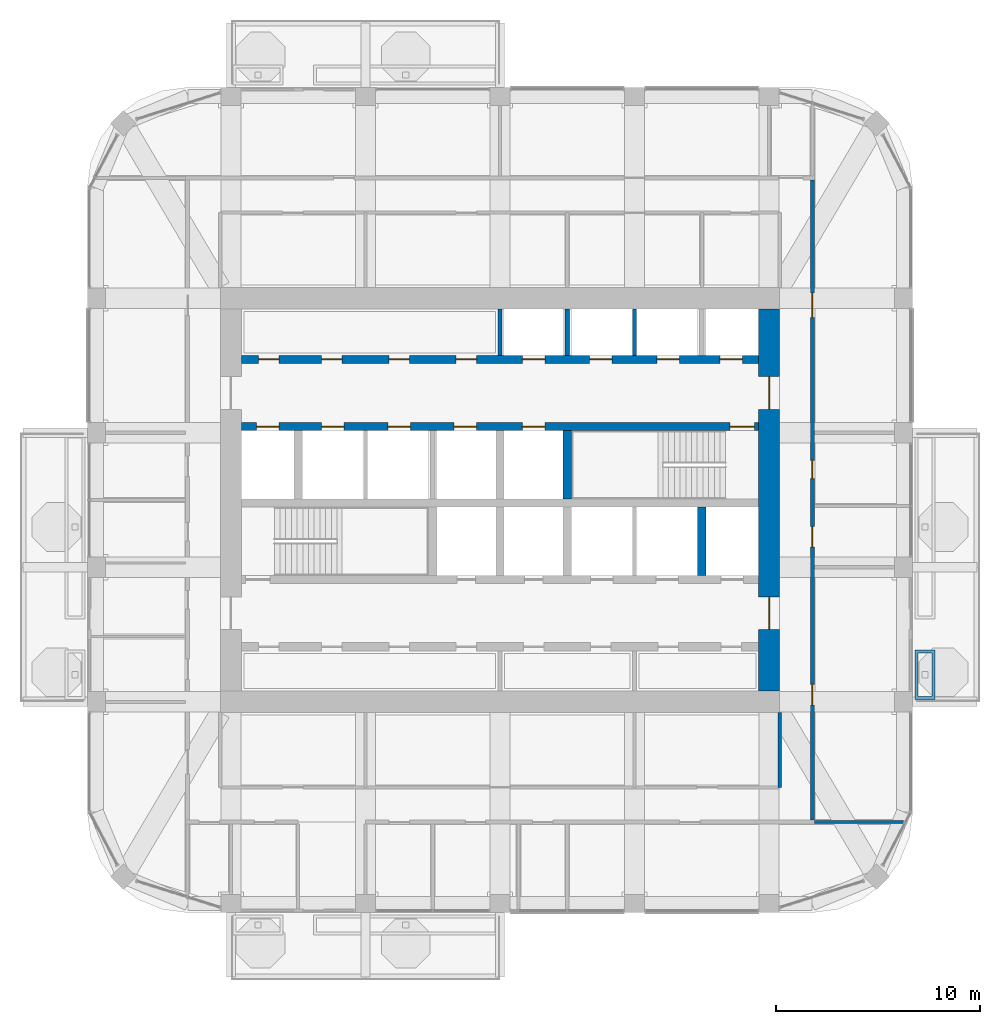
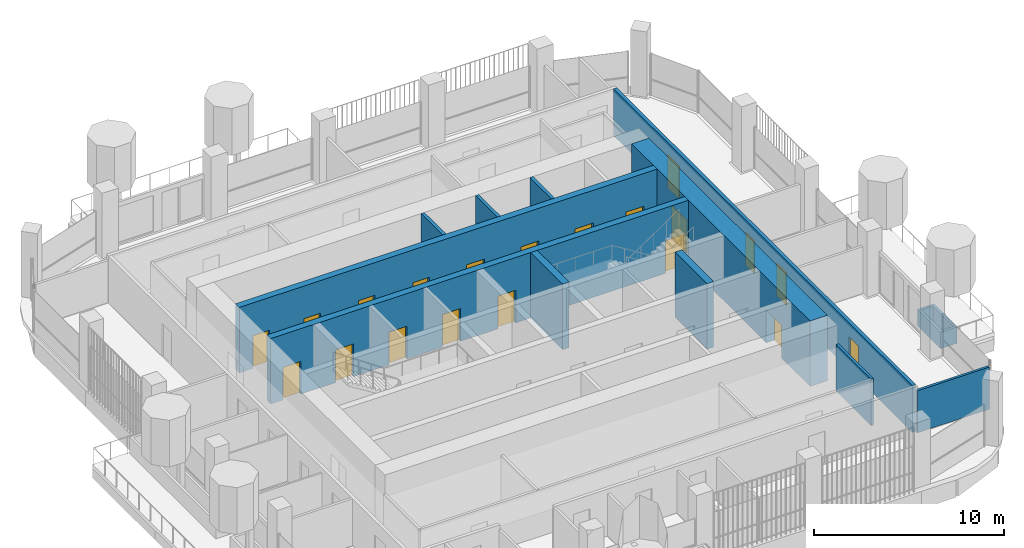
# One storey, part 14 of 19: 20 doors, 12 walls, 20 openings.
"""IFC4 building model written with IfcOpenShell, lengths in metres."""

from ifc_helpers import new_model, si_unit, direction, frame, frame_2d, origin, place, context, subcontext, project, spatial, polyline, rectangle, outline, extrude, material, layer, layer_set, type_object, element, fill, save


model = new_model("IFC4")

# Units and contexts
model_context = context("Model", 3, precision=1e-05, world=origin(), true_north=direction((0.0, 1.0)))
body_context = subcontext(model_context, "Body", "Model", "MODEL_VIEW")
ifc_project = project(units=[si_unit("LENGTHUNIT", "METRE"), si_unit("AREAUNIT", "SQUARE_METRE"), si_unit("VOLUMEUNIT", "CUBIC_METRE"), si_unit("PLANEANGLEUNIT", "RADIAN"), si_unit("MASSUNIT", "GRAM", prefix="KILO")], contexts=[model_context])

# Site, building, storey
site_placement = place(None, origin())
site = spatial("IfcSite", under=ifc_project, at=site_placement, CompositionType="ELEMENT")
building_placement = place(site_placement, origin())
building = spatial("IfcBuilding", under=site, at=building_placement, Name="Cobogo Forest Laboratory Tower", CompositionType="ELEMENT")
storey_placement = place(building_placement, frame((0.0, 0.0, 262.800048828125)))
storey = spatial("IfcBuildingStorey", under=building, at=storey_placement, Name="L60", CompositionType="ELEMENT", Elevation=262.800048828125)

# Wall, openings, doors
ifc_material_1 = material(Name="Concrete HA-50 (C50/60)", Category="concrete")
ifc_layer_1 = layer(ifc_material_1, 0.39990234375)
ifc_layer_set_1 = layer_set([ifc_layer_1], Name="CI400 core inner wall 400")
wall_type_1 = type_object("IfcWallType", Name="CI400 core inner wall 400", PredefinedType="SHEAR", material=ifc_layer_set_1)
wall_1_placement = place(storey_placement, frame((13.72509765625, 26.699951171875, 0.0), z_axis=(0.0, 0.0, 1.0), x_axis=(1.0, 0.0, 0.0)))
wall_1 = element("IfcWall", 1, at=wall_1_placement, inside=storey, type_object=wall_type_1, Name="Core wall CI-26.7 L60", PredefinedType="SHEAR", context=body_context, shape_type="SweptSolid", body=[
    extrude(rectangle(XDim=25.349853515625, YDim=0.39990234375, at=frame_2d((12.6748046875, 0.0))), origin(), (0.0, 0.0, 1.0), 4.199951171875),
])
opening_1_placement = place(wall_1_placement, frame((23.949951171875, 0.0, 0.0)))
opening_1 = element("IfcOpeningElement", 2, at=opening_1_placement, cuts=wall_1, Name="Opening L60-D34", PredefinedType="OPENING", context=body_context, shape_type="SweptSolid", body=[
    extrude(rectangle(XDim=1.199951171875, YDim=2.10009765625, at=frame_2d((0.60009765625, 1.050048828125))), frame((0.0, 0.2099609375, 0.0), z_axis=(0.0, -1.0, 0.0), x_axis=(1.0, 0.0, 0.0)), (0.0, 0.0, 1.0), 0.419921875),
])
opening_2_placement = place(wall_1_placement, frame((0.737548828125, 0.0, 0.0)))
opening_2 = element("IfcOpeningElement", 3, at=opening_2_placement, cuts=wall_1, Name="Opening L60-LD-FL1", PredefinedType="OPENING", context=body_context, shape_type="SweptSolid", body=[
    extrude(rectangle(XDim=1.10009765625, YDim=2.10009765625, at=frame_2d((0.550048828125, 1.050048828125))), frame((0.0, 0.2099609375, 0.0), z_axis=(0.0, -1.0, 0.0), x_axis=(1.0, 0.0, 0.0)), (0.0, 0.0, 1.0), 0.419921875),
])
opening_3_placement = place(wall_1_placement, frame((3.925048828125, 0.0, 0.0)))
opening_3 = element("IfcOpeningElement", 4, at=opening_3_placement, cuts=wall_1, Name="Opening L60-LD-LS3", PredefinedType="OPENING", context=body_context, shape_type="SweptSolid", body=[
    extrude(rectangle(XDim=1.10009765625, YDim=2.10009765625, at=frame_2d((0.550048828125, 1.050048828125))), frame((0.0, 0.2099609375, 0.0), z_axis=(0.0, -1.0, 0.0), x_axis=(1.0, 0.0, 0.0)), (0.0, 0.0, 1.0), 0.419921875),
])
opening_4_placement = place(wall_1_placement, frame((7.175048828125, 0.0, 0.0)))
opening_4 = element("IfcOpeningElement", 5, at=opening_4_placement, cuts=wall_1, Name="Opening L60-LD-LS4", PredefinedType="OPENING", context=body_context, shape_type="SweptSolid", body=[
    extrude(rectangle(XDim=1.10009765625, YDim=2.10009765625, at=frame_2d((0.550048828125, 1.050048828125))), frame((0.0, 0.2099609375, 0.0), z_axis=(0.0, -1.0, 0.0), x_axis=(1.0, 0.0, 0.0)), (0.0, 0.0, 1.0), 0.419921875),
])
opening_5_placement = place(wall_1_placement, frame((10.425048828125, 0.0, 0.0)))
opening_5 = element("IfcOpeningElement", 6, at=opening_5_placement, cuts=wall_1, Name="Opening L60-LD-LS5", PredefinedType="OPENING", context=body_context, shape_type="SweptSolid", body=[
    extrude(rectangle(XDim=1.10009765625, YDim=2.10009765625, at=frame_2d((0.550048828125, 1.050048828125))), frame((0.0, 0.2099609375, 0.0), z_axis=(0.0, -1.0, 0.0), x_axis=(1.0, 0.0, 0.0)), (0.0, 0.0, 1.0), 0.419921875),
])
opening_6_placement = place(wall_1_placement, frame((13.77490234375, 0.0, 0.0)))
opening_6 = element("IfcOpeningElement", 7, at=opening_6_placement, cuts=wall_1, Name="Opening L60-LD-LS6", PredefinedType="OPENING", context=body_context, shape_type="SweptSolid", body=[
    extrude(rectangle(XDim=1.10009765625, YDim=2.10009765625, at=frame_2d((0.550048828125, 1.050048828125))), frame((0.0, 0.2099609375, 0.0), z_axis=(0.0, -1.0, 0.0), x_axis=(1.0, 0.0, 0.0)), (0.0, 0.0, 1.0), 0.419921875),
])
ifc_material_2 = material(Name="Steel fire door", Category="steel")
door_type_1 = type_object("IfcDoorType", Name="DS1 protected stair door 1200 EI2 60", OperationType="SINGLE_SWING_LEFT", PredefinedType="DOOR", material=ifc_material_2)
door_1_placement = place(opening_1_placement, origin())
door_1 = element("IfcDoor", 8, at=door_1_placement, inside=storey, type_object=door_type_1, Name="Door L60-ST2", OperationType="SINGLE_SWING_RIGHT", OverallHeight=2.10009765625, OverallWidth=1.199951171875, PredefinedType="DOOR", context=body_context, shape_type="SweptSolid", body=[
    extrude(rectangle(XDim=1.199951171875, YDim=2.10009765625, at=frame_2d((0.60009765625, 1.050048828125))), frame((0.0, 0.02490234375, 0.0), z_axis=(0.0, -1.0, 0.0), x_axis=(1.0, 0.0, 0.0)), (0.0, 0.0, 1.0), 0.050048828125),
])
fill(opening_1, door_1)
ifc_material_3 = material(Name="Stainless steel lift door", Category="steel")
door_type_2 = type_object("IfcDoorType", Name="LD lift landing door 1100", OperationType="DOUBLE_DOOR_SLIDING", PredefinedType="DOOR", material=ifc_material_3)
door_2_placement = place(opening_2_placement, origin())
door_2 = element("IfcDoor", 9, at=door_2_placement, inside=storey, type_object=door_type_2, Name="Lift landing door FL1 L60", OperationType="DOUBLE_DOOR_SLIDING", OverallHeight=2.10009765625, OverallWidth=1.10009765625, PredefinedType="DOOR", context=body_context, shape_type="SweptSolid", body=[
    extrude(rectangle(XDim=1.10009765625, YDim=2.10009765625, at=frame_2d((0.550048828125, 1.050048828125))), frame((0.0, 0.02490234375, 0.0), z_axis=(0.0, -1.0, 0.0), x_axis=(1.0, 0.0, 0.0)), (0.0, 0.0, 1.0), 0.050048828125),
])
fill(opening_2, door_2)
door_3_placement = place(opening_3_placement, origin())
door_3 = element("IfcDoor", 10, at=door_3_placement, inside=storey, type_object=door_type_2, Name="Lift landing door LS3 L60", OperationType="DOUBLE_DOOR_SLIDING", OverallHeight=2.10009765625, OverallWidth=1.10009765625, PredefinedType="DOOR", context=body_context, shape_type="SweptSolid", body=[
    extrude(rectangle(XDim=1.10009765625, YDim=2.10009765625, at=frame_2d((0.550048828125, 1.050048828125))), frame((0.0, 0.02490234375, 0.0), z_axis=(0.0, -1.0, 0.0), x_axis=(1.0, 0.0, 0.0)), (0.0, 0.0, 1.0), 0.050048828125),
])
fill(opening_3, door_3)
door_4_placement = place(opening_4_placement, origin())
door_4 = element("IfcDoor", 11, at=door_4_placement, inside=storey, type_object=door_type_2, Name="Lift landing door LS4 L60", OperationType="DOUBLE_DOOR_SLIDING", OverallHeight=2.10009765625, OverallWidth=1.10009765625, PredefinedType="DOOR", context=body_context, shape_type="SweptSolid", body=[
    extrude(rectangle(XDim=1.10009765625, YDim=2.10009765625, at=frame_2d((0.550048828125, 1.050048828125))), frame((0.0, 0.02490234375, 0.0), z_axis=(0.0, -1.0, 0.0), x_axis=(1.0, 0.0, 0.0)), (0.0, 0.0, 1.0), 0.050048828125),
])
fill(opening_4, door_4)
door_5_placement = place(opening_5_placement, origin())
door_5 = element("IfcDoor", 12, at=door_5_placement, inside=storey, type_object=door_type_2, Name="Lift landing door LS5 L60", OperationType="DOUBLE_DOOR_SLIDING", OverallHeight=2.10009765625, OverallWidth=1.10009765625, PredefinedType="DOOR", context=body_context, shape_type="SweptSolid", body=[
    extrude(rectangle(XDim=1.10009765625, YDim=2.10009765625, at=frame_2d((0.550048828125, 1.050048828125))), frame((0.0, 0.02490234375, 0.0), z_axis=(0.0, -1.0, 0.0), x_axis=(1.0, 0.0, 0.0)), (0.0, 0.0, 1.0), 0.050048828125),
])
fill(opening_5, door_5)
door_6_placement = place(opening_6_placement, origin())
door_6 = element("IfcDoor", 13, at=door_6_placement, inside=storey, type_object=door_type_2, Name="Lift landing door LS6 L60", OperationType="DOUBLE_DOOR_SLIDING", OverallHeight=2.10009765625, OverallWidth=1.10009765625, PredefinedType="DOOR", context=body_context, shape_type="SweptSolid", body=[
    extrude(rectangle(XDim=1.10009765625, YDim=2.10009765625, at=frame_2d((0.550048828125, 1.050048828125))), frame((0.0, 0.02490234375, 0.0), z_axis=(0.0, -1.0, 0.0), x_axis=(1.0, 0.0, 0.0)), (0.0, 0.0, 1.0), 0.050048828125),
])
fill(opening_6, door_6)

wall_2_placement = place(storey_placement, frame((13.72509765625, 30.0, 0.0), z_axis=(0.0, 0.0, 1.0), x_axis=(1.0, 0.0, 0.0)))
wall_2 = element("IfcWall", 14, at=wall_2_placement, inside=storey, type_object=wall_type_1, Name="Core wall CI-30.0 L60", PredefinedType="SHEAR", context=body_context, shape_type="SweptSolid", body=[
    extrude(rectangle(XDim=25.349853515625, YDim=0.39990234375, at=frame_2d((12.6748046875, 0.0))), origin(), (0.0, 0.0, 1.0), 4.199951171875),
])
opening_7_placement = place(wall_2_placement, frame((0.83740234375, 0.0, 0.0)))
opening_7 = element("IfcOpeningElement", 15, at=opening_7_placement, cuts=wall_2, Name="Opening L60-D37", PredefinedType="OPENING", context=body_context, shape_type="SweptSolid", body=[
    extrude(rectangle(XDim=1.0, YDim=2.10009765625, at=frame_2d((0.5, 1.050048828125))), frame((0.0, 0.2099609375, 0.0), z_axis=(0.0, -1.0, 0.0), x_axis=(1.0, 0.0, 0.0)), (0.0, 0.0, 1.0), 0.419921875),
])
opening_8_placement = place(wall_2_placement, frame((3.925048828125, 0.0, 0.0)))
opening_8 = element("IfcOpeningElement", 16, at=opening_8_placement, cuts=wall_2, Name="Opening L60-D38", PredefinedType="OPENING", context=body_context, shape_type="SweptSolid", body=[
    extrude(rectangle(XDim=1.0, YDim=2.10009765625, at=frame_2d((0.5, 1.050048828125))), frame((0.0, 0.2099609375, 0.0), z_axis=(0.0, -1.0, 0.0), x_axis=(1.0, 0.0, 0.0)), (0.0, 0.0, 1.0), 0.419921875),
])
opening_9_placement = place(wall_2_placement, frame((7.22509765625, 0.0, 0.0)))
opening_9 = element("IfcOpeningElement", 17, at=opening_9_placement, cuts=wall_2, Name="Opening L60-D39", PredefinedType="OPENING", context=body_context, shape_type="SweptSolid", body=[
    extrude(rectangle(XDim=1.0, YDim=2.10009765625, at=frame_2d((0.5, 1.050048828125))), frame((0.0, 0.2099609375, 0.0), z_axis=(0.0, -1.0, 0.0), x_axis=(1.0, 0.0, 0.0)), (0.0, 0.0, 1.0), 0.419921875),
])
opening_10_placement = place(wall_2_placement, frame((10.52490234375, 0.0, 0.0)))
opening_10 = element("IfcOpeningElement", 18, at=opening_10_placement, cuts=wall_2, Name="Opening L60-D40", PredefinedType="OPENING", context=body_context, shape_type="SweptSolid", body=[
    extrude(rectangle(XDim=1.0, YDim=2.10009765625, at=frame_2d((0.5, 1.050048828125))), frame((0.0, 0.2099609375, 0.0), z_axis=(0.0, -1.0, 0.0), x_axis=(1.0, 0.0, 0.0)), (0.0, 0.0, 1.0), 0.419921875),
])
opening_11_placement = place(wall_2_placement, frame((13.77490234375, 0.0, 0.0)))
opening_11 = element("IfcOpeningElement", 19, at=opening_11_placement, cuts=wall_2, Name="Opening L60-LD-LD1", PredefinedType="OPENING", context=body_context, shape_type="SweptSolid", body=[
    extrude(rectangle(XDim=1.10009765625, YDim=2.10009765625, at=frame_2d((0.550048828125, 1.050048828125))), frame((0.0, 0.2099609375, 0.0), z_axis=(0.0, -1.0, 0.0), x_axis=(1.0, 0.0, 0.0)), (0.0, 0.0, 1.0), 0.419921875),
])
opening_12_placement = place(wall_2_placement, frame((17.074951171875, 0.0, 0.0)))
opening_12 = element("IfcOpeningElement", 20, at=opening_12_placement, cuts=wall_2, Name="Opening L60-LD-LD2", PredefinedType="OPENING", context=body_context, shape_type="SweptSolid", body=[
    extrude(rectangle(XDim=1.10009765625, YDim=2.10009765625, at=frame_2d((0.550048828125, 1.050048828125))), frame((0.0, 0.2099609375, 0.0), z_axis=(0.0, -1.0, 0.0), x_axis=(1.0, 0.0, 0.0)), (0.0, 0.0, 1.0), 0.419921875),
])
opening_13_placement = place(wall_2_placement, frame((20.375, 0.0, 0.0)))
opening_13 = element("IfcOpeningElement", 21, at=opening_13_placement, cuts=wall_2, Name="Opening L60-LD-LD3", PredefinedType="OPENING", context=body_context, shape_type="SweptSolid", body=[
    extrude(rectangle(XDim=1.10009765625, YDim=2.10009765625, at=frame_2d((0.550048828125, 1.050048828125))), frame((0.0, 0.2099609375, 0.0), z_axis=(0.0, -1.0, 0.0), x_axis=(1.0, 0.0, 0.0)), (0.0, 0.0, 1.0), 0.419921875),
])
opening_14_placement = place(wall_2_placement, frame((23.46240234375, 0.0, 0.0)))
opening_14 = element("IfcOpeningElement", 22, at=opening_14_placement, cuts=wall_2, Name="Opening L60-LD-LD4", PredefinedType="OPENING", context=body_context, shape_type="SweptSolid", body=[
    extrude(rectangle(XDim=1.10009765625, YDim=2.10009765625, at=frame_2d((0.550048828125, 1.050048828125))), frame((0.0, 0.2099609375, 0.0), z_axis=(0.0, -1.0, 0.0), x_axis=(1.0, 0.0, 0.0)), (0.0, 0.0, 1.0), 0.419921875),
])
door_type_3 = type_object("IfcDoorType", Name="FD1 fire door 1000 EI2 60", OperationType="SINGLE_SWING_LEFT", PredefinedType="DOOR", material=ifc_material_2)
door_7_placement = place(opening_7_placement, origin())
door_7 = element("IfcDoor", 23, at=door_7_placement, inside=storey, type_object=door_type_3, Name="Door L60-SH-LC1", OperationType="SINGLE_SWING_LEFT", OverallHeight=2.10009765625, OverallWidth=1.0, PredefinedType="DOOR", context=body_context, shape_type="SweptSolid", body=[
    extrude(rectangle(XDim=1.0, YDim=2.10009765625, at=frame_2d((0.5, 1.050048828125))), frame((0.0, 0.02490234375, 0.0), z_axis=(0.0, -1.0, 0.0), x_axis=(1.0, 0.0, 0.0)), (0.0, 0.0, 1.0), 0.050048828125),
])
fill(opening_7, door_7)
door_8_placement = place(opening_8_placement, origin())
door_8 = element("IfcDoor", 24, at=door_8_placement, inside=storey, type_object=door_type_3, Name="Door L60-SH-LC2", OperationType="SINGLE_SWING_LEFT", OverallHeight=2.10009765625, OverallWidth=1.0, PredefinedType="DOOR", context=body_context, shape_type="SweptSolid", body=[
    extrude(rectangle(XDim=1.0, YDim=2.10009765625, at=frame_2d((0.5, 1.050048828125))), frame((0.0, 0.02490234375, 0.0), z_axis=(0.0, -1.0, 0.0), x_axis=(1.0, 0.0, 0.0)), (0.0, 0.0, 1.0), 0.050048828125),
])
fill(opening_8, door_8)
door_9_placement = place(opening_9_placement, origin())
door_9 = element("IfcDoor", 25, at=door_9_placement, inside=storey, type_object=door_type_3, Name="Door L60-SH-LC3", OperationType="SINGLE_SWING_LEFT", OverallHeight=2.10009765625, OverallWidth=1.0, PredefinedType="DOOR", context=body_context, shape_type="SweptSolid", body=[
    extrude(rectangle(XDim=1.0, YDim=2.10009765625, at=frame_2d((0.5, 1.050048828125))), frame((0.0, 0.02490234375, 0.0), z_axis=(0.0, -1.0, 0.0), x_axis=(1.0, 0.0, 0.0)), (0.0, 0.0, 1.0), 0.050048828125),
])
fill(opening_9, door_9)
door_10_placement = place(opening_10_placement, origin())
door_10 = element("IfcDoor", 26, at=door_10_placement, inside=storey, type_object=door_type_3, Name="Door L60-SH-LC4", OperationType="SINGLE_SWING_LEFT", OverallHeight=2.10009765625, OverallWidth=1.0, PredefinedType="DOOR", context=body_context, shape_type="SweptSolid", body=[
    extrude(rectangle(XDim=1.0, YDim=2.10009765625, at=frame_2d((0.5, 1.050048828125))), frame((0.0, 0.02490234375, 0.0), z_axis=(0.0, -1.0, 0.0), x_axis=(1.0, 0.0, 0.0)), (0.0, 0.0, 1.0), 0.050048828125),
])
fill(opening_10, door_10)
door_11_placement = place(opening_11_placement, origin())
door_11 = element("IfcDoor", 27, at=door_11_placement, inside=storey, type_object=door_type_2, Name="Lift landing door LD1 L60", OperationType="DOUBLE_DOOR_SLIDING", OverallHeight=2.10009765625, OverallWidth=1.10009765625, PredefinedType="DOOR", context=body_context, shape_type="SweptSolid", body=[
    extrude(rectangle(XDim=1.10009765625, YDim=2.10009765625, at=frame_2d((0.550048828125, 1.050048828125))), frame((0.0, 0.02490234375, 0.0), z_axis=(0.0, -1.0, 0.0), x_axis=(1.0, 0.0, 0.0)), (0.0, 0.0, 1.0), 0.050048828125),
])
fill(opening_11, door_11)
door_12_placement = place(opening_12_placement, origin())
door_12 = element("IfcDoor", 28, at=door_12_placement, inside=storey, type_object=door_type_2, Name="Lift landing door LD2 L60", OperationType="DOUBLE_DOOR_SLIDING", OverallHeight=2.10009765625, OverallWidth=1.10009765625, PredefinedType="DOOR", context=body_context, shape_type="SweptSolid", body=[
    extrude(rectangle(XDim=1.10009765625, YDim=2.10009765625, at=frame_2d((0.550048828125, 1.050048828125))), frame((0.0, 0.02490234375, 0.0), z_axis=(0.0, -1.0, 0.0), x_axis=(1.0, 0.0, 0.0)), (0.0, 0.0, 1.0), 0.050048828125),
])
fill(opening_12, door_12)
door_13_placement = place(opening_13_placement, origin())
door_13 = element("IfcDoor", 29, at=door_13_placement, inside=storey, type_object=door_type_2, Name="Lift landing door LD3 L60", OperationType="DOUBLE_DOOR_SLIDING", OverallHeight=2.10009765625, OverallWidth=1.10009765625, PredefinedType="DOOR", context=body_context, shape_type="SweptSolid", body=[
    extrude(rectangle(XDim=1.10009765625, YDim=2.10009765625, at=frame_2d((0.550048828125, 1.050048828125))), frame((0.0, 0.02490234375, 0.0), z_axis=(0.0, -1.0, 0.0), x_axis=(1.0, 0.0, 0.0)), (0.0, 0.0, 1.0), 0.050048828125),
])
fill(opening_13, door_13)
door_14_placement = place(opening_14_placement, origin())
door_14 = element("IfcDoor", 30, at=door_14_placement, inside=storey, type_object=door_type_2, Name="Lift landing door LD4 L60", OperationType="DOUBLE_DOOR_SLIDING", OverallHeight=2.10009765625, OverallWidth=1.10009765625, PredefinedType="DOOR", context=body_context, shape_type="SweptSolid", body=[
    extrude(rectangle(XDim=1.10009765625, YDim=2.10009765625, at=frame_2d((0.550048828125, 1.050048828125))), frame((0.0, 0.02490234375, 0.0), z_axis=(0.0, -1.0, 0.0), x_axis=(1.0, 0.0, 0.0)), (0.0, 0.0, 1.0), 0.050048828125),
])
fill(opening_14, door_14)

# Walls
for number, where, z_axis, x_axis, name in (
    (31, (36.300048828125, 19.39990234375, 0.0), (0.0, 0.0, 1.0), (0.0, 1.0, 0.0), "Core wall CX-36.3 L60"),
    (32, (29.699951171875, 23.14990234375, 0.0), (0.0, 0.0, 1.0), (0.0, 1.0, 0.0), "Core wall CX-29.7N L60"),
):
    element("IfcWall", number, at=place(storey_placement, frame(where, z_axis=z_axis, x_axis=x_axis)), inside=storey, type_object=wall_type_1, Name=name, PredefinedType="SHEAR", context=body_context, shape_type="SweptSolid", body=[
        extrude(rectangle(XDim=3.35009765625, YDim=0.39990234375, at=frame_2d((1.675048828125, 0.0))), origin(), (0.0, 0.0, 1.0), 4.199951171875),
    ])

# Wall, openings, doors
ifc_layer_2 = layer(ifc_material_1, 1.050048828125)
ifc_layer_set_2 = layer_set([ifc_layer_2], Name="CW1050 core outer wall 1050")
wall_type_2 = type_object("IfcWallType", Name="CW1050 core outer wall 1050", PredefinedType="SHEAR", material=ifc_layer_set_2)
wall_3_placement = place(storey_placement, frame((39.60009765625, 13.72509765625, 0.0), z_axis=(0.0, 0.0, 1.0), x_axis=(0.0, 1.0, 0.0)))
wall_3 = element("IfcWall", 33, at=wall_3_placement, inside=storey, type_object=wall_type_2, Name="Core wall CO-E L60", PredefinedType="SHEAR", context=body_context, shape_type="SweptSolid", body=[
    extrude(rectangle(XDim=18.75, YDim=1.050048828125, at=frame_2d((9.375, 0.0))), origin(), (0.0, 0.0, 1.0), 4.199951171875),
])
opening_15_placement = place(wall_3_placement, frame((3.02490234375, 0.0, 0.0)))
opening_15 = element("IfcOpeningElement", 34, at=opening_15_placement, cuts=wall_3, Name="Opening L60-D25", PredefinedType="OPENING", context=body_context, shape_type="SweptSolid", body=[
    extrude(rectangle(XDim=1.60009765625, YDim=2.10009765625, at=frame_2d((0.800048828125, 1.050048828125))), frame((0.0, 0.534912109375, 0.0), z_axis=(0.0, -1.0, 0.0), x_axis=(1.0, 0.0, 0.0)), (0.0, 0.0, 1.0), 1.070068359375),
])
opening_16_placement = place(wall_3_placement, frame((13.824951171875, 0.0, 0.0)))
opening_16 = element("IfcOpeningElement", 35, at=opening_16_placement, cuts=wall_3, Name="Opening L60-D36", PredefinedType="OPENING", context=body_context, shape_type="SweptSolid", body=[
    extrude(rectangle(XDim=1.60009765625, YDim=2.10009765625, at=frame_2d((0.800048828125, 1.050048828125))), frame((0.0, 0.534912109375, 0.0), z_axis=(0.0, -1.0, 0.0), x_axis=(1.0, 0.0, 0.0)), (0.0, 0.0, 1.0), 1.070068359375),
])
door_type_4 = type_object("IfcDoorType", Name="DS2 protected lobby door pair 1600 EI2 60", OperationType="DOUBLE_DOOR_DOUBLE_SWING", PredefinedType="DOOR", material=ifc_material_2)
door_15_placement = place(opening_15_placement, origin())
door_15 = element("IfcDoor", 36, at=door_15_placement, inside=storey, type_object=door_type_4, Name="Door L60-CO-E-S", OperationType="DOUBLE_DOOR_DOUBLE_SWING", OverallHeight=2.10009765625, OverallWidth=1.60009765625, PredefinedType="DOOR", context=body_context, shape_type="SweptSolid", body=[
    extrude(rectangle(XDim=1.60009765625, YDim=2.10009765625, at=frame_2d((0.800048828125, 1.050048828125))), frame((0.0, 0.02490234375, 0.0), z_axis=(0.0, -1.0, 0.0), x_axis=(1.0, 0.0, 0.0)), (0.0, 0.0, 1.0), 0.050048828125),
])
fill(opening_15, door_15)
door_16_placement = place(opening_16_placement, origin())
door_16 = element("IfcDoor", 37, at=door_16_placement, inside=storey, type_object=door_type_4, Name="Door L60-CO-E-N", OperationType="DOUBLE_DOOR_DOUBLE_SWING", OverallHeight=2.10009765625, OverallWidth=1.60009765625, PredefinedType="DOOR", context=body_context, shape_type="SweptSolid", body=[
    extrude(rectangle(XDim=1.60009765625, YDim=2.10009765625, at=frame_2d((0.800048828125, 1.050048828125))), frame((0.0, 0.02490234375, 0.0), z_axis=(0.0, -1.0, 0.0), x_axis=(1.0, 0.0, 0.0)), (0.0, 0.0, 1.0), 0.050048828125),
])
fill(opening_16, door_16)

# Walls
ifc_material_4 = material(Name="Gypsum board on steel studs", Category="steel")
ifc_layer_3 = layer(ifc_material_4, 0.14990234375)
ifc_layer_set_3 = layer_set([ifc_layer_3], Name="PT1 laboratory partition 150")
wall_type_3 = type_object("IfcWallType", Name="PT1 laboratory partition 150", PredefinedType="PARTITIONING", material=ifc_layer_set_3)
wall_4_placement = place(storey_placement, frame((40.125, 12.675048828125, 0.0), z_axis=(0.0, 0.0, 1.0), x_axis=(0.0, -1.0, 0.0)))
element("IfcWall", 38, at=wall_4_placement, inside=storey, type_object=wall_type_3, Name="Partition CSTRIP-SE L60", PredefinedType="PARTITIONING", context=body_context, shape_type="SweptSolid", body=[
    extrude(rectangle(XDim=3.675048828125, YDim=0.14990234375, at=frame_2d((1.83740234375, 0.0))), origin(), (0.0, 0.0, 1.0), 3.0),
])
wall_5_placement = place(storey_placement, frame((46.197509765625, 7.300048828125, 0.0), z_axis=(0.0, 0.0, 1.0), x_axis=(-1.0, 0.0, 0.0)))
element("IfcWall", 39, at=wall_5_placement, inside=storey, type_object=wall_type_3, Name="Partition PW-SE L60", PredefinedType="PARTITIONING", context=body_context, shape_type="SweptSolid", body=[
    extrude(rectangle(XDim=4.37255859375, YDim=0.14990234375, at=frame_2d((2.186279296875, 0.0))), origin(), (0.0, 0.0, 1.0), 2.699951171875),
])

# Wall, openings, doors
ifc_layer_4 = layer(ifc_material_4, 0.199951171875)
ifc_layer_set_4 = layer_set([ifc_layer_4], Name="PT2 fire-rated corridor partition 200")
wall_type_4 = type_object("IfcWallType", Name="PT2 fire-rated corridor partition 200", PredefinedType="PARTITIONING", material=ifc_layer_set_4)
wall_6_placement = place(storey_placement, frame((41.72509765625, 7.39990234375, 0.0), z_axis=(0.0, 0.0, 1.0), x_axis=(0.0, 1.0, 0.0)))
wall_6 = element("IfcWall", 40, at=wall_6_placement, inside=storey, type_object=wall_type_4, Name="Partition CORR-E L60", PredefinedType="PARTITIONING", context=body_context, shape_type="SweptSolid", body=[
    extrude(rectangle(XDim=31.400146484375, YDim=0.199951171875, at=frame_2d((15.7001953125, 0.0))), origin(), (0.0, 0.0, 1.0), 3.0),
])
opening_17_placement = place(wall_6_placement, frame((5.64990234375, 0.0, 0.0)))
opening_17 = element("IfcOpeningElement", 41, at=opening_17_placement, cuts=wall_6, Name="Opening L60-D12", PredefinedType="OPENING", context=body_context, shape_type="SweptSolid", body=[
    extrude(rectangle(XDim=1.0, YDim=2.10009765625, at=frame_2d((0.5, 1.050048828125))), frame((0.0, 0.10986328125, 0.0), z_axis=(0.0, -1.0, 0.0), x_axis=(1.0, 0.0, 0.0)), (0.0, 0.0, 1.0), 0.219970703125),
])
opening_18_placement = place(wall_6_placement, frame((13.39990234375, 0.0, 0.0)))
opening_18 = element("IfcOpeningElement", 42, at=opening_18_placement, cuts=wall_6, Name="Opening L60-D30", PredefinedType="OPENING", context=body_context, shape_type="SweptSolid", body=[
    extrude(rectangle(XDim=1.0, YDim=2.10009765625, at=frame_2d((0.5, 1.050048828125))), frame((0.0, 0.10986328125, 0.0), z_axis=(0.0, -1.0, 0.0), x_axis=(1.0, 0.0, 0.0)), (0.0, 0.0, 1.0), 0.219970703125),
])
opening_19_placement = place(wall_6_placement, frame((16.75, 0.0, 0.0)))
opening_19 = element("IfcOpeningElement", 43, at=opening_19_placement, cuts=wall_6, Name="Opening L60-D32", PredefinedType="OPENING", context=body_context, shape_type="SweptSolid", body=[
    extrude(rectangle(XDim=0.89990234375, YDim=2.10009765625, at=frame_2d((0.449951171875, 1.050048828125))), frame((0.0, 0.10986328125, 0.0), z_axis=(0.0, -1.0, 0.0), x_axis=(1.0, 0.0, 0.0)), (0.0, 0.0, 1.0), 0.219970703125),
])
opening_20_placement = place(wall_6_placement, frame((24.64990234375, 0.0, 0.0)))
opening_20 = element("IfcOpeningElement", 44, at=opening_20_placement, cuts=wall_6, Name="Opening L60-D42", PredefinedType="OPENING", context=body_context, shape_type="SweptSolid", body=[
    extrude(rectangle(XDim=1.199951171875, YDim=2.10009765625, at=frame_2d((0.60009765625, 1.050048828125))), frame((0.0, 0.10986328125, 0.0), z_axis=(0.0, -1.0, 0.0), x_axis=(1.0, 0.0, 0.0)), (0.0, 0.0, 1.0), 0.219970703125),
])
ifc_material_5 = material(Name="Timber door", Category="wood")
door_type_5 = type_object("IfcDoorType", Name="D2 laboratory door 1200 unequal pair", OperationType="DOUBLE_DOOR_SINGLE_SWING", PredefinedType="DOOR", material=ifc_material_5)
door_17_placement = place(opening_20_placement, origin())
door_17 = element("IfcDoor", 45, at=door_17_placement, inside=storey, type_object=door_type_5, Name="Door L60-E2", OperationType="DOUBLE_DOOR_SINGLE_SWING", OverallHeight=2.10009765625, OverallWidth=1.199951171875, PredefinedType="DOOR", context=body_context, shape_type="SweptSolid", body=[
    extrude(rectangle(XDim=1.199951171875, YDim=2.10009765625, at=frame_2d((0.60009765625, 1.050048828125))), frame((0.0, 0.02490234375, 0.0), z_axis=(0.0, -1.0, 0.0), x_axis=(1.0, 0.0, 0.0)), (0.0, 0.0, 1.0), 0.050048828125),
])
fill(opening_20, door_17)
door_18_placement = place(opening_18_placement, origin())
door_18 = element("IfcDoor", 46, at=door_18_placement, inside=storey, type_object=door_type_3, Name="Door L60-ELEC", OperationType="SINGLE_SWING_LEFT", OverallHeight=2.10009765625, OverallWidth=1.0, PredefinedType="DOOR", context=body_context, shape_type="SweptSolid", body=[
    extrude(rectangle(XDim=1.0, YDim=2.10009765625, at=frame_2d((0.5, 1.050048828125))), frame((0.0, 0.02490234375, 0.0), z_axis=(0.0, -1.0, 0.0), x_axis=(1.0, 0.0, 0.0)), (0.0, 0.0, 1.0), 0.050048828125),
])
fill(opening_18, door_18)
ifc_material_6 = material(Name="Timber fire door", Category="wood")
door_type_6 = type_object("IfcDoorType", Name="FD2 fire door 1000 EI2 30", OperationType="SINGLE_SWING_LEFT", PredefinedType="DOOR", material=ifc_material_6)
door_19_placement = place(opening_17_placement, origin())
door_19 = element("IfcDoor", 47, at=door_19_placement, inside=storey, type_object=door_type_6, Name="Door L60-E1", OperationType="SINGLE_SWING_LEFT", OverallHeight=2.10009765625, OverallWidth=1.0, PredefinedType="DOOR", context=body_context, shape_type="SweptSolid", body=[
    extrude(rectangle(XDim=1.0, YDim=2.10009765625, at=frame_2d((0.5, 1.050048828125))), frame((0.0, 0.02490234375, 0.0), z_axis=(0.0, -1.0, 0.0), x_axis=(1.0, 0.0, 0.0)), (0.0, 0.0, 1.0), 0.050048828125),
])
fill(opening_17, door_19)
door_type_7 = type_object("IfcDoorType", Name="FD4 riser access door 900 EI2 60", OperationType="SINGLE_SWING_LEFT", PredefinedType="DOOR", material=ifc_material_2)
door_20_placement = place(opening_19_placement, origin())
door_20 = element("IfcDoor", 48, at=door_20_placement, inside=storey, type_object=door_type_7, Name="Door L60-COMMS", OperationType="SINGLE_SWING_RIGHT", OverallHeight=2.10009765625, OverallWidth=0.89990234375, PredefinedType="DOOR", context=body_context, shape_type="SweptSolid", body=[
    extrude(rectangle(XDim=0.89990234375, YDim=2.10009765625, at=frame_2d((0.449951171875, 1.050048828125))), frame((0.0, 0.02490234375, 0.0), z_axis=(0.0, -1.0, 0.0), x_axis=(1.0, 0.0, 0.0)), (0.0, 0.0, 1.0), 0.050048828125),
])
fill(opening_19, door_20)

# Walls
ifc_material_7 = material(Name="Concrete HA-40 (C40/50)", Category="concrete")
ifc_layer_5 = layer(ifc_material_7, 0.14990234375)
ifc_layer_set_5 = layer_set([ifc_layer_5], Name="Planter box 1000x1050")
wall_type_5 = type_object("IfcWallType", Name="Planter box 1000x1050", PredefinedType="USERDEFINED", material=ifc_layer_set_5)
wall_7_placement = place(storey_placement, origin())
element("IfcWall", 49, at=wall_7_placement, inside=storey, type_object=wall_type_5, Name="Planter BAL-E1-1 L60", ObjectType="PLANTER", PredefinedType="USERDEFINED", context=body_context, shape_type="SweptSolid", body=[
    extrude(outline(polyline([(46.75, 13.300048828125), (47.75, 13.300048828125), (47.75, 15.75), (46.75, 15.75), (46.75, 13.300048828125)]), holes=[polyline([(46.89990234375, 13.449951171875), (47.60009765625, 13.449951171875), (47.60009765625, 15.60009765625), (46.89990234375, 15.60009765625), (46.89990234375, 13.449951171875)])]), origin(), (0.0, 0.0, 1.0), 1.050048828125),
])
ifc_material_8 = material(Name="Concrete block", Category="concrete")
ifc_layer_6 = layer(ifc_material_8, 0.199951171875)
ifc_layer_set_6 = layer_set([ifc_layer_6], Name="SW200 lift shaft separator 200")
wall_type_6 = type_object("IfcWallType", Name="SW200 lift shaft separator 200", PredefinedType="PARTITIONING", material=ifc_layer_set_6)
for number, where, z_axis, x_axis, name in (
    (50, (26.39990234375, 30.199951171875, 0.0), (0.0, 0.0, 1.0), (0.0, 1.0, 0.0), "Core wall SEP-N4 L60"),
    (51, (29.699951171875, 30.199951171875, 0.0), (0.0, 0.0, 1.0), (0.0, 1.0, 0.0), "Core wall SEP-N5 L60"),
    (52, (33.0, 30.199951171875, 0.0), (0.0, 0.0, 1.0), (0.0, 1.0, 0.0), "Core wall SEP-N6 L60"),
):
    element("IfcWall", number, at=place(storey_placement, frame(where, z_axis=z_axis, x_axis=x_axis)), inside=storey, type_object=wall_type_6, Name=name, PredefinedType="PARTITIONING", context=body_context, shape_type="SweptSolid", body=[
        extrude(rectangle(XDim=2.275146484375, YDim=0.199951171875, at=frame_2d((1.1376953125, 0.0))), origin(), (0.0, 0.0, 1.0), 4.199951171875),
    ])

save(model, "model.ifc")
